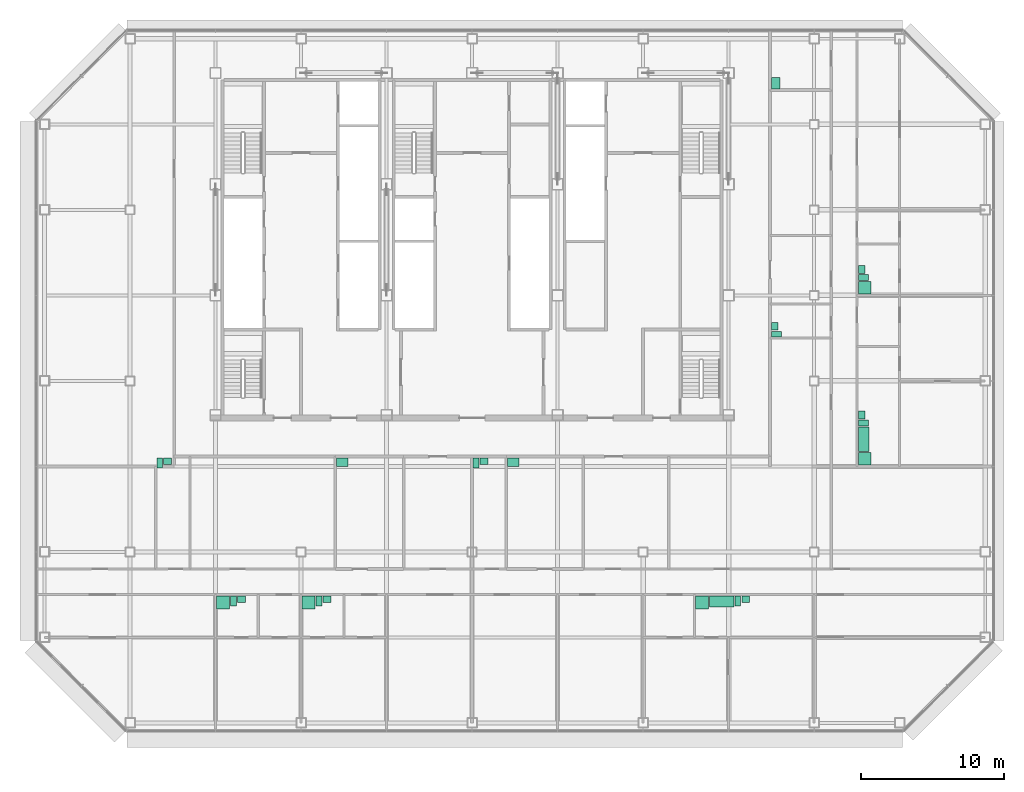
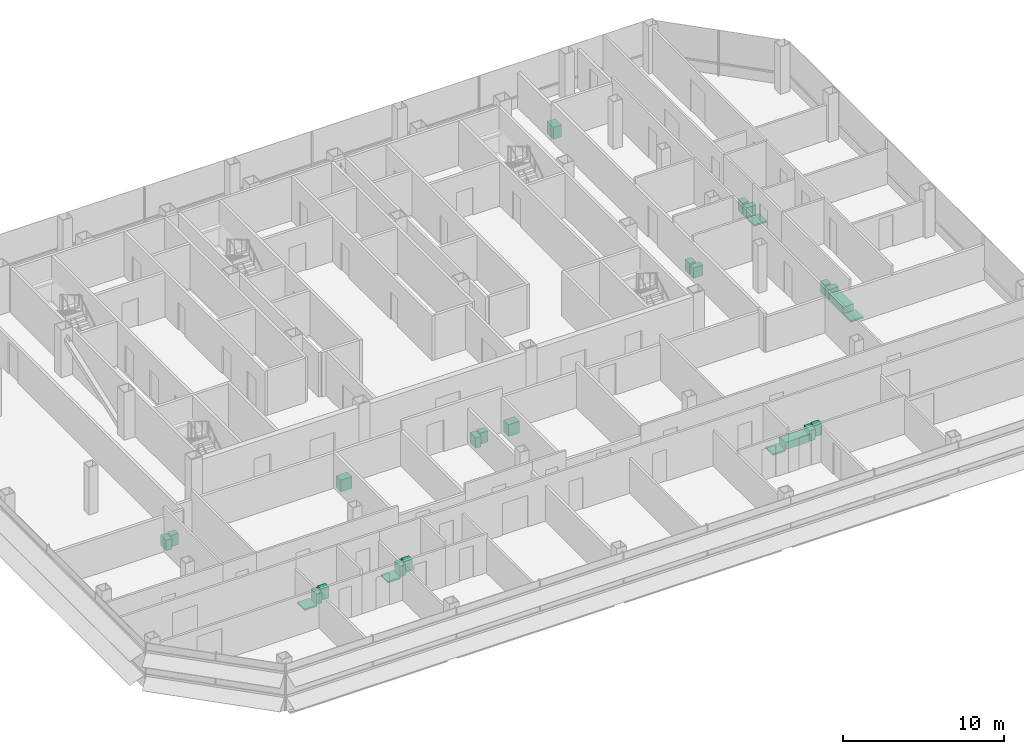
# One storey, part 26 of 26: 26 sanitary terminals.
"""IFC4 building model written with IfcOpenShell, lengths in metres."""

from ifc_helpers import new_model, si_unit, direction, frame, origin, origin_2d, place, context, subcontext, project, spatial, rectangle, extrude, element, save


model = new_model("IFC4")

# Units and contexts
model_context = context("Model", 3, precision=1e-05, world=origin(), true_north=direction((0.0, 1.0)))
body_context = subcontext(model_context, "Body", "Model", "MODEL_VIEW")
ifc_project = project(units=[si_unit("LENGTHUNIT", "METRE"), si_unit("AREAUNIT", "SQUARE_METRE"), si_unit("VOLUMEUNIT", "CUBIC_METRE"), si_unit("PLANEANGLEUNIT", "RADIAN"), si_unit("MASSUNIT", "GRAM", prefix="KILO")], contexts=[model_context])

# Site, building, storey
site_placement = place(None, origin())
site = spatial("IfcSite", under=ifc_project, at=site_placement, CompositionType="ELEMENT")
building_placement = place(site_placement, origin())
building = spatial("IfcBuilding", under=site, at=building_placement, Name="Sorahane Residences", CompositionType="ELEMENT")
storey_placement = place(building_placement, frame((0.0, 0.0, 158.199951171875)))
storey = spatial("IfcBuildingStorey", under=building, at=storey_placement, Name="L36", CompositionType="ELEMENT", Elevation=158.199951171875)

# Sanitary terminals
sanitary_terminal_1_placement = place(storey_placement, frame((6.530029296875, 8.449951171875, 0.0), z_axis=(0.0, 0.0, 1.0), x_axis=(1.0, 0.0, 0.0)))
element("IfcSanitaryTerminal", 1, at=sanitary_terminal_1_placement, inside=storey, Name="Shower tray En-suite bathroom 36A", PredefinedType="SHOWER", context=body_context, shape_type="SweptSolid", body=[
    extrude(rectangle(XDim=0.89990234375, YDim=0.89990234375, at=origin_2d()), origin(), (0.0, 0.0, 1.0), 0.1201171875),
])
sanitary_terminal_2_placement = place(storey_placement, frame((7.260009765625, 8.550048828125, 0.0), z_axis=(0.0, 0.0, 1.0), x_axis=(1.0, 0.0, 0.0)))
element("IfcSanitaryTerminal", 2, at=sanitary_terminal_2_placement, inside=storey, Name="WC pan En-suite bathroom 36A", PredefinedType="TOILETPAN", context=body_context, shape_type="SweptSolid", body=[
    extrude(rectangle(XDim=0.39990234375, YDim=0.699951171875, at=origin_2d()), origin(), (0.0, 0.0, 1.0), 0.800048828125),
])
sanitary_terminal_3_placement = place(storey_placement, frame((7.81494140625, 8.675048828125, 0.0), z_axis=(0.0, 0.0, 1.0), x_axis=(1.0, 0.0, 0.0)))
element("IfcSanitaryTerminal", 3, at=sanitary_terminal_3_placement, inside=storey, Name="Wash basin En-suite bathroom 36A", PredefinedType="WASHHANDBASIN", context=body_context, shape_type="SweptSolid", body=[
    extrude(rectangle(XDim=0.550048828125, YDim=0.449951171875, at=origin_2d()), origin(), (0.0, 0.0, 1.0), 0.85009765625),
])
sanitary_terminal_4_placement = place(storey_placement, frame((12.530029296875, 8.449951171875, 0.0), z_axis=(0.0, 0.0, 1.0), x_axis=(1.0, 0.0, 0.0)))
element("IfcSanitaryTerminal", 4, at=sanitary_terminal_4_placement, inside=storey, Name="Shower tray En-suite bathroom 36A-2", PredefinedType="SHOWER", context=body_context, shape_type="SweptSolid", body=[
    extrude(rectangle(XDim=0.89990234375, YDim=0.89990234375, at=origin_2d()), origin(), (0.0, 0.0, 1.0), 0.1201171875),
])
sanitary_terminal_5_placement = place(storey_placement, frame((13.260009765625, 8.550048828125, 0.0), z_axis=(0.0, 0.0, 1.0), x_axis=(1.0, 0.0, 0.0)))
element("IfcSanitaryTerminal", 5, at=sanitary_terminal_5_placement, inside=storey, Name="WC pan En-suite bathroom 36A-2", PredefinedType="TOILETPAN", context=body_context, shape_type="SweptSolid", body=[
    extrude(rectangle(XDim=0.39990234375, YDim=0.699951171875, at=origin_2d()), origin(), (0.0, 0.0, 1.0), 0.800048828125),
])
sanitary_terminal_6_placement = place(storey_placement, frame((13.81494140625, 8.675048828125, 0.0), z_axis=(0.0, 0.0, 1.0), x_axis=(1.0, 0.0, 0.0)))
element("IfcSanitaryTerminal", 6, at=sanitary_terminal_6_placement, inside=storey, Name="Wash basin En-suite bathroom 36A-2", PredefinedType="WASHHANDBASIN", context=body_context, shape_type="SweptSolid", body=[
    extrude(rectangle(XDim=0.550048828125, YDim=0.449951171875, at=origin_2d()), origin(), (0.0, 0.0, 1.0), 0.85009765625),
])
sanitary_terminal_7_placement = place(storey_placement, frame((2.080078125, 18.25, 0.0), z_axis=(0.0, 0.0, 1.0), x_axis=(1.0, 0.0, 0.0)))
element("IfcSanitaryTerminal", 7, at=sanitary_terminal_7_placement, inside=storey, Name="WC pan Powder room 36A", PredefinedType="TOILETPAN", context=body_context, shape_type="SweptSolid", body=[
    extrude(rectangle(XDim=0.39990234375, YDim=0.699951171875, at=origin_2d()), origin(), (0.0, 0.0, 1.0), 0.800048828125),
])
sanitary_terminal_8_placement = place(storey_placement, frame((2.635009765625, 18.375, 0.0), z_axis=(0.0, 0.0, 1.0), x_axis=(1.0, 0.0, 0.0)))
element("IfcSanitaryTerminal", 8, at=sanitary_terminal_8_placement, inside=storey, Name="Wash basin Powder room 36A", PredefinedType="WASHHANDBASIN", context=body_context, shape_type="SweptSolid", body=[
    extrude(rectangle(XDim=0.550048828125, YDim=0.449951171875, at=origin_2d()), origin(), (0.0, 0.0, 1.0), 0.85009765625),
])
sanitary_terminal_9_placement = place(storey_placement, frame((14.8798828125, 18.300048828125, 0.0), z_axis=(0.0, 0.0, 1.0), x_axis=(1.0, 0.0, 0.0)))
element("IfcSanitaryTerminal", 9, at=sanitary_terminal_9_placement, inside=storey, Name="Kitchen sink Kitchen 36A", PredefinedType="SINK", context=body_context, shape_type="SweptSolid", body=[
    extrude(rectangle(XDim=0.800048828125, YDim=0.60009765625, at=origin_2d()), origin(), (0.0, 0.0, 1.0), 0.89990234375),
])
sanitary_terminal_10_placement = place(storey_placement, frame((40.1298828125, 8.449951171875, 0.0), z_axis=(0.0, 0.0, 1.0), x_axis=(1.0, 0.0, 0.0)))
element("IfcSanitaryTerminal", 10, at=sanitary_terminal_10_placement, inside=storey, Name="Shower tray En-suite bathroom 36B", PredefinedType="SHOWER", context=body_context, shape_type="SweptSolid", body=[
    extrude(rectangle(XDim=0.89990234375, YDim=0.89990234375, at=origin_2d()), origin(), (0.0, 0.0, 1.0), 0.1201171875),
])
sanitary_terminal_11_placement = place(storey_placement, frame((41.510009765625, 8.52490234375, 0.0), z_axis=(0.0, 0.0, 1.0), x_axis=(1.0, 0.0, 0.0)))
element("IfcSanitaryTerminal", 11, at=sanitary_terminal_11_placement, inside=storey, Name="Bath En-suite bathroom 36B", PredefinedType="BATH", context=body_context, shape_type="SweptSolid", body=[
    extrude(rectangle(XDim=1.699951171875, YDim=0.75, at=origin_2d()), origin(), (0.0, 0.0, 1.0), 0.56005859375),
])
sanitary_terminal_12_placement = place(storey_placement, frame((42.639892578125, 8.550048828125, 0.0), z_axis=(0.0, 0.0, 1.0), x_axis=(1.0, 0.0, 0.0)))
element("IfcSanitaryTerminal", 12, at=sanitary_terminal_12_placement, inside=storey, Name="WC pan En-suite bathroom 36B", PredefinedType="TOILETPAN", context=body_context, shape_type="SweptSolid", body=[
    extrude(rectangle(XDim=0.39990234375, YDim=0.699951171875, at=origin_2d()), origin(), (0.0, 0.0, 1.0), 0.800048828125),
])
sanitary_terminal_13_placement = place(storey_placement, frame((43.195068359375, 8.675048828125, 0.0), z_axis=(0.0, 0.0, 1.0), x_axis=(1.0, 0.0, 0.0)))
element("IfcSanitaryTerminal", 13, at=sanitary_terminal_13_placement, inside=storey, Name="Wash basin En-suite bathroom 36B", PredefinedType="WASHHANDBASIN", context=body_context, shape_type="SweptSolid", body=[
    extrude(rectangle(XDim=0.550048828125, YDim=0.449951171875, at=origin_2d()), origin(), (0.0, 0.0, 1.0), 0.85009765625),
])
sanitary_terminal_14_placement = place(storey_placement, frame((24.280029296875, 18.25, 0.0), z_axis=(0.0, 0.0, 1.0), x_axis=(1.0, 0.0, 0.0)))
element("IfcSanitaryTerminal", 14, at=sanitary_terminal_14_placement, inside=storey, Name="WC pan Guest WC 36B", PredefinedType="TOILETPAN", context=body_context, shape_type="SweptSolid", body=[
    extrude(rectangle(XDim=0.39990234375, YDim=0.699951171875, at=origin_2d()), origin(), (0.0, 0.0, 1.0), 0.800048828125),
])
sanitary_terminal_15_placement = place(storey_placement, frame((24.8349609375, 18.375, 0.0), z_axis=(0.0, 0.0, 1.0), x_axis=(1.0, 0.0, 0.0)))
element("IfcSanitaryTerminal", 15, at=sanitary_terminal_15_placement, inside=storey, Name="Wash basin Guest WC 36B", PredefinedType="WASHHANDBASIN", context=body_context, shape_type="SweptSolid", body=[
    extrude(rectangle(XDim=0.550048828125, YDim=0.449951171875, at=origin_2d()), origin(), (0.0, 0.0, 1.0), 0.85009765625),
])
sanitary_terminal_16_placement = place(storey_placement, frame((26.8798828125, 18.300048828125, 0.0), z_axis=(0.0, 0.0, 1.0), x_axis=(1.0, 0.0, 0.0)))
element("IfcSanitaryTerminal", 16, at=sanitary_terminal_16_placement, inside=storey, Name="Kitchen sink Kitchen 36B", PredefinedType="SINK", context=body_context, shape_type="SweptSolid", body=[
    extrude(rectangle(XDim=0.800048828125, YDim=0.60009765625, at=origin_2d()), origin(), (0.0, 0.0, 1.0), 0.89990234375),
])
sanitary_terminal_17_placement = place(storey_placement, frame((51.550048828125, 18.530029296875, 0.0), z_axis=(0.0, 0.0, 1.0), x_axis=(0.0, 1.0, 0.0)))
element("IfcSanitaryTerminal", 17, at=sanitary_terminal_17_placement, inside=storey, Name="Shower tray En-suite bathroom 36C", PredefinedType="SHOWER", context=body_context, shape_type="SweptSolid", body=[
    extrude(rectangle(XDim=0.89990234375, YDim=0.89990234375, at=origin_2d()), origin(), (0.0, 0.0, 1.0), 0.1201171875),
])
sanitary_terminal_18_placement = place(storey_placement, frame((51.47509765625, 19.909912109375, 0.0), z_axis=(0.0, 0.0, 1.0), x_axis=(0.0, 1.0, 0.0)))
element("IfcSanitaryTerminal", 18, at=sanitary_terminal_18_placement, inside=storey, Name="Bath En-suite bathroom 36C", PredefinedType="BATH", context=body_context, shape_type="SweptSolid", body=[
    extrude(rectangle(XDim=1.699951171875, YDim=0.75, at=origin_2d()), origin(), (0.0, 0.0, 1.0), 0.56005859375),
])
sanitary_terminal_19_placement = place(storey_placement, frame((51.449951171875, 21.0400390625, 0.0), z_axis=(0.0, 0.0, 1.0), x_axis=(0.0, 1.0, 0.0)))
element("IfcSanitaryTerminal", 19, at=sanitary_terminal_19_placement, inside=storey, Name="WC pan En-suite bathroom 36C", PredefinedType="TOILETPAN", context=body_context, shape_type="SweptSolid", body=[
    extrude(rectangle(XDim=0.39990234375, YDim=0.699951171875, at=origin_2d()), origin(), (0.0, 0.0, 1.0), 0.800048828125),
])
sanitary_terminal_20_placement = place(storey_placement, frame((51.324951171875, 21.594970703125, 0.0), z_axis=(0.0, 0.0, 1.0), x_axis=(0.0, 1.0, 0.0)))
element("IfcSanitaryTerminal", 20, at=sanitary_terminal_20_placement, inside=storey, Name="Wash basin En-suite bathroom 36C", PredefinedType="WASHHANDBASIN", context=body_context, shape_type="SweptSolid", body=[
    extrude(rectangle(XDim=0.550048828125, YDim=0.449951171875, at=origin_2d()), origin(), (0.0, 0.0, 1.0), 0.85009765625),
])
sanitary_terminal_21_placement = place(storey_placement, frame((51.550048828125, 30.530029296875, 0.0), z_axis=(0.0, 0.0, 1.0), x_axis=(0.0, 1.0, 0.0)))
element("IfcSanitaryTerminal", 21, at=sanitary_terminal_21_placement, inside=storey, Name="Shower tray En-suite bathroom 36C-2", PredefinedType="SHOWER", context=body_context, shape_type="SweptSolid", body=[
    extrude(rectangle(XDim=0.89990234375, YDim=0.89990234375, at=origin_2d()), origin(), (0.0, 0.0, 1.0), 0.1201171875),
])
sanitary_terminal_22_placement = place(storey_placement, frame((51.449951171875, 31.260009765625, 0.0), z_axis=(0.0, 0.0, 1.0), x_axis=(0.0, 1.0, 0.0)))
element("IfcSanitaryTerminal", 22, at=sanitary_terminal_22_placement, inside=storey, Name="WC pan En-suite bathroom 36C-2", PredefinedType="TOILETPAN", context=body_context, shape_type="SweptSolid", body=[
    extrude(rectangle(XDim=0.39990234375, YDim=0.699951171875, at=origin_2d()), origin(), (0.0, 0.0, 1.0), 0.800048828125),
])
sanitary_terminal_23_placement = place(storey_placement, frame((51.324951171875, 31.81494140625, 0.0), z_axis=(0.0, 0.0, 1.0), x_axis=(0.0, 1.0, 0.0)))
element("IfcSanitaryTerminal", 23, at=sanitary_terminal_23_placement, inside=storey, Name="Wash basin En-suite bathroom 36C-2", PredefinedType="WASHHANDBASIN", context=body_context, shape_type="SweptSolid", body=[
    extrude(rectangle(XDim=0.550048828125, YDim=0.449951171875, at=origin_2d()), origin(), (0.0, 0.0, 1.0), 0.85009765625),
])
sanitary_terminal_24_placement = place(storey_placement, frame((45.35009765625, 27.280029296875, 0.0), z_axis=(0.0, 0.0, 1.0), x_axis=(0.0, 1.0, 0.0)))
element("IfcSanitaryTerminal", 24, at=sanitary_terminal_24_placement, inside=storey, Name="WC pan Guest WC 36C", PredefinedType="TOILETPAN", context=body_context, shape_type="SweptSolid", body=[
    extrude(rectangle(XDim=0.39990234375, YDim=0.699951171875, at=origin_2d()), origin(), (0.0, 0.0, 1.0), 0.800048828125),
])
sanitary_terminal_25_placement = place(storey_placement, frame((45.22509765625, 27.8349609375, 0.0), z_axis=(0.0, 0.0, 1.0), x_axis=(0.0, 1.0, 0.0)))
element("IfcSanitaryTerminal", 25, at=sanitary_terminal_25_placement, inside=storey, Name="Wash basin Guest WC 36C", PredefinedType="WASHHANDBASIN", context=body_context, shape_type="SweptSolid", body=[
    extrude(rectangle(XDim=0.550048828125, YDim=0.449951171875, at=origin_2d()), origin(), (0.0, 0.0, 1.0), 0.85009765625),
])
sanitary_terminal_26_placement = place(storey_placement, frame((45.300048828125, 44.8798828125, 0.0), z_axis=(0.0, 0.0, 1.0), x_axis=(0.0, 1.0, 0.0)))
element("IfcSanitaryTerminal", 26, at=sanitary_terminal_26_placement, inside=storey, Name="Kitchen sink Kitchen 36C", PredefinedType="SINK", context=body_context, shape_type="SweptSolid", body=[
    extrude(rectangle(XDim=0.800048828125, YDim=0.60009765625, at=origin_2d()), origin(), (0.0, 0.0, 1.0), 0.89990234375),
])

save(model, "model.ifc")
